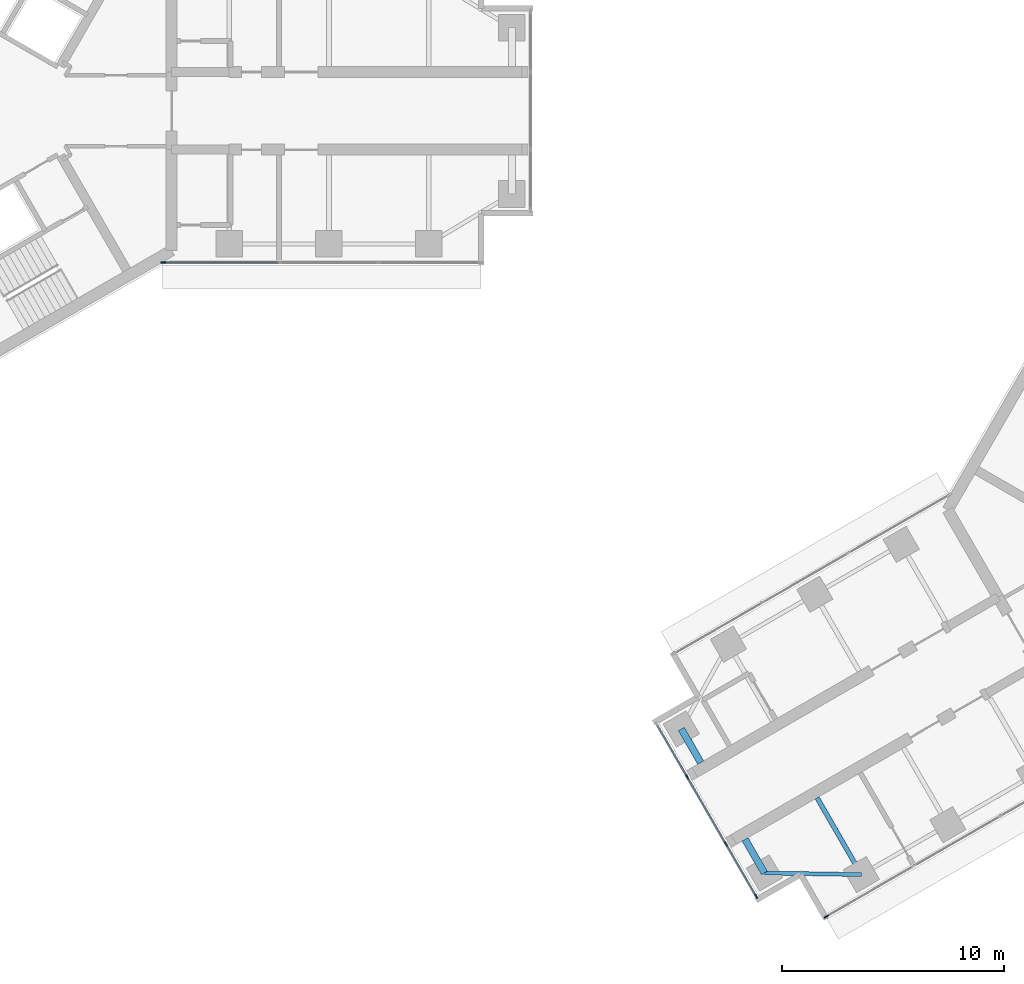
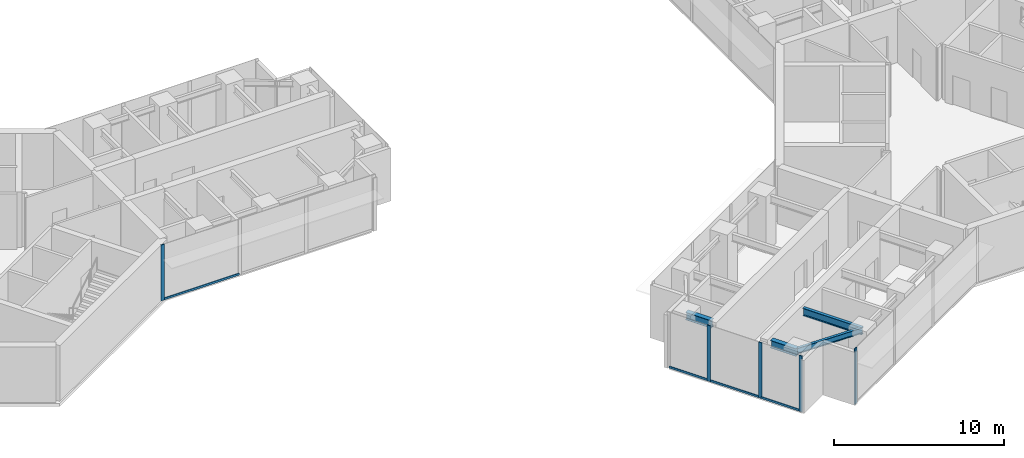
# One storey, part 2 of 17: 9 members, 4 beams, 3 elements without a shape of their own.
"""IFC4 building model written with IfcOpenShell, lengths in metres."""

from ifc_helpers import new_model, si_unit, direction, frame, origin, origin_2d, place, context, subcontext, project, spatial, rectangle, i_section, extrude, material, material_profile, profile_set, type_object, element, aggregate, save


model = new_model("IFC4")

# Units and contexts
model_context = context("Model", 3, precision=1e-05, world=origin(), true_north=direction((0.0, 1.0)))
body_context = subcontext(model_context, "Body", "Model", "MODEL_VIEW")
ifc_project = project(units=[si_unit("LENGTHUNIT", "METRE"), si_unit("AREAUNIT", "SQUARE_METRE"), si_unit("VOLUMEUNIT", "CUBIC_METRE"), si_unit("PLANEANGLEUNIT", "RADIAN"), si_unit("MASSUNIT", "GRAM", prefix="KILO")], contexts=[model_context])

# Site, building, storey
site_placement = place(None, origin())
site = spatial("IfcSite", under=ifc_project, at=site_placement, CompositionType="ELEMENT")
building_placement = place(site_placement, origin())
building = spatial("IfcBuilding", under=site, at=building_placement, Name="Upepo Twin Towers", CompositionType="ELEMENT")
storey_placement = place(building_placement, frame((0.0, 0.0, 174.5)))
storey = spatial("IfcBuildingStorey", under=building, at=storey_placement, Name="L42", CompositionType="ELEMENT", Elevation=174.5)

# Beams
ifc_material_1 = material(Name="Steel S355", Category="steel")
ifc_material_profile_1 = material_profile(ifc_material_1, i_section(OverallWidth=0.177978515625, OverallDepth=0.406494140625, WebThickness=0.0078125, FlangeThickness=0.0126953125, FilletRadius=0.01025390625, at=origin_2d()), Name="UB 406x178x60")
ifc_profile_set_1 = profile_set([ifc_material_profile_1], Name="Steel S355")
beam_type_1 = type_object("IfcBeamType", Name="Beam UB 406x178x60", PredefinedType="BEAM", material=ifc_profile_set_1)
beam_1_placement = place(storey_placement, frame((42.014404296875, -34.446044921875, 3.5966796875), z_axis=(-0.999858804832, 0.016803880528, 0.0), x_axis=(-0.016803880528, -0.999858804832, 0.0)))
element("IfcBeam", 1, at=beam_1_placement, inside=storey, type_object=beam_type_1, Name="T2 nose edge beam BL", PredefinedType="BEAM", context=body_context, shape_type="SweptSolid", body=[
    extrude(i_section(OverallWidth=0.177978515625, OverallDepth=0.406494140625, WebThickness=0.0078125, FlangeThickness=0.0126953125, FilletRadius=0.01025390625, at=origin_2d()), origin(), (0.0, 0.0, 1.0), 4.373291015625),
])
ifc_material_2 = material(Name="Steel S355", Category="steel")
ifc_material_profile_2 = material_profile(ifc_material_2, i_section(OverallWidth=0.209228515625, OverallDepth=0.533203125, WebThickness=0.010009765625, FlangeThickness=0.015625, FilletRadius=0.0126953125, at=origin_2d()), Name="UB 533x210x92")
ifc_profile_set_2 = profile_set([ifc_material_profile_2], Name="Steel S355")
beam_type_2 = type_object("IfcBeamType", Name="Beam UB 533x210x92", PredefinedType="BEAM", material=ifc_profile_set_2)
beam_2_placement = place(storey_placement, frame((42.014404296875, -34.446044921875, 3.533447265625), z_axis=(-0.49999894854, 0.866026010844, 0.0), x_axis=(-0.866026010844, -0.49999894854, 0.0)))
element("IfcBeam", 2, at=beam_2_placement, inside=storey, type_object=beam_type_2, Name="T2 girder BL at 22.5", PredefinedType="BEAM", context=body_context, shape_type="SweptSolid", body=[
    extrude(i_section(OverallWidth=0.209228515625, OverallDepth=0.533203125, WebThickness=0.010009765625, FlangeThickness=0.015625, FilletRadius=0.0126953125, at=origin_2d()), origin(), (0.0, 0.0, 1.0), 4.0),
])
ifc_material_3 = material(Name="Steel S355", Category="steel")
ifc_material_profile_3 = material_profile(ifc_material_3, i_section(OverallWidth=0.31201171875, OverallDepth=0.54345703125, WebThickness=0.0126953125, FlangeThickness=0.020263671875, FilletRadius=0.0126953125, at=origin_2d()), Name="UB 533x312x150")
ifc_profile_set_3 = profile_set([ifc_material_profile_3], Name="Steel S355")
beam_type_3 = type_object("IfcBeamType", Name="Beam UB 533x312x150", PredefinedType="BEAM", material=ifc_profile_set_3)
for number, where, z_axis, x_axis, name in (
    (3, (37.641845703125, -34.37255859375, 3.5283203125), (-0.499980071345, 0.866036909293, 0.0), (-0.866036909293, -0.499980071345, 0.0), "T2 nose beam BL"),
    (4, (33.891845703125, -27.87744140625, 3.5283203125), (0.499980071345, -0.866036909293, 0.0), (0.866036909293, 0.499980071345, 0.0), "T2 nose beam BR"),
):
    element("IfcBeam", number, at=place(storey_placement, frame(where, z_axis=z_axis, x_axis=x_axis)), inside=storey, type_object=beam_type_3, Name=name, PredefinedType="BEAM", context=body_context, shape_type="SweptSolid", body=[
        extrude(i_section(OverallWidth=0.31201171875, OverallDepth=0.54345703125, WebThickness=0.0126953125, FlangeThickness=0.020263671875, FilletRadius=0.0126953125, at=origin_2d()), origin(), (0.0, 0.0, 1.0), 1.75),
    ])

# Curtain wall, member
ifc_material_4 = material(Name="Aluminium and fritted glass", Category="aluminium")
curtain_wall_type = type_object("IfcCurtainWallType", Name="Tower curtain wall TW3, fritted glass", PredefinedType="NOTDEFINED", material=ifc_material_4)
curtain_wall_1_placement = place(storey_placement, origin())
curtain_wall_1 = element("IfcCurtainWall", 5, at=curtain_wall_1_placement, inside=storey, type_object=curtain_wall_type, Name="T1 L42 wing A flank R curtain wall", PredefinedType="NOTDEFINED")
ifc_material_5 = material(Name="Aluminium mullion", Category="aluminium")
ifc_material_profile_4 = material_profile(ifc_material_5, rectangle(XDim=0.06494140625, YDim=0.22509765625, at=origin_2d()), Name="MULLION 65x225")
ifc_profile_set_4 = profile_set([ifc_material_profile_4], Name="Aluminium mullion")
member_type_1 = type_object("IfcMemberType", Name="Mullion 65x225 TW3", PredefinedType="MULLION", material=ifc_profile_set_4)
member_1_placement = place(storey_placement, frame((10.51953125, -6.85009765625, 0.0), z_axis=(0.0, 0.0, 1.0), x_axis=(0.0, -1.0, 0.0)))
member_1 = element("IfcMember", 6, at=member_1_placement, type_object=member_type_1, Name="T1 L42 wing A flank R curtain wall mullion 4", PredefinedType="MULLION", context=body_context, shape_type="SweptSolid", body=[
    extrude(rectangle(XDim=0.06494140625, YDim=0.22509765625, at=origin_2d()), origin(), (0.0, 0.0, 1.0), 4.0),
])

curtain_wall_2_placement = place(storey_placement, origin())
curtain_wall_2 = element("IfcCurtainWall", 7, at=curtain_wall_2_placement, inside=storey, type_object=curtain_wall_type, Name="T2 L42 wing B flank L curtain wall", PredefinedType="NOTDEFINED")
member_2_placement = place(storey_placement, frame((40.432373046875, -36.341064453125, 0.0), z_axis=(0.0, 0.0, 1.0), x_axis=(0.500000026527, -0.866025388469, 0.0)))
member_2 = element("IfcMember", 8, at=member_2_placement, type_object=member_type_1, Name="T2 L42 wing B flank L curtain wall mullion 4", PredefinedType="MULLION", context=body_context, shape_type="SweptSolid", body=[
    extrude(rectangle(XDim=0.06494140625, YDim=0.22509765625, at=origin_2d()), origin(), (0.0, 0.0, 1.0), 4.0),
])
aggregate(curtain_wall_2, [member_2])

# Curtain wall, members
curtain_wall_3_placement = place(storey_placement, origin())
curtain_wall_3 = element("IfcCurtainWall", 9, at=curtain_wall_3_placement, inside=storey, type_object=curtain_wall_type, Name="T2 L42 wing B nose curtain wall", PredefinedType="NOTDEFINED")
member_3_placement = place(storey_placement, frame((34.15576171875, -30.034423828125, 0.0), z_axis=(0.0, 0.0, 1.0), x_axis=(0.866025386174, 0.500000030502, 0.0)))
member_3 = element("IfcMember", 10, at=member_3_placement, type_object=member_type_1, Name="T2 L42 wing B nose curtain wall mullion 2", PredefinedType="MULLION", context=body_context, shape_type="SweptSolid", body=[
    extrude(rectangle(XDim=0.06494140625, YDim=0.22509765625, at=origin_2d()), origin(), (0.0, 0.0, 1.0), 4.0),
])
member_4_placement = place(storey_placement, frame((35.90576171875, -33.0654296875, 0.0), z_axis=(0.0, 0.0, 1.0), x_axis=(0.866025386174, 0.500000030502, 0.0)))
member_4 = element("IfcMember", 11, at=member_4_placement, type_object=member_type_1, Name="T2 L42 wing B nose curtain wall mullion 3", PredefinedType="MULLION", context=body_context, shape_type="SweptSolid", body=[
    extrude(rectangle(XDim=0.06494140625, YDim=0.22509765625, at=origin_2d()), origin(), (0.0, 0.0, 1.0), 4.0),
])
member_5_placement = place(storey_placement, frame((37.264404296875, -35.4189453125, 0.0), z_axis=(0.0, 0.0, 1.0), x_axis=(0.866025386174, 0.500000030502, 0.0)))
member_5 = element("IfcMember", 12, at=member_5_placement, type_object=member_type_1, Name="T2 L42 wing B nose curtain wall mullion 4", PredefinedType="MULLION", context=body_context, shape_type="SweptSolid", body=[
    extrude(rectangle(XDim=0.06494140625, YDim=0.22509765625, at=origin_2d()), origin(), (0.0, 0.0, 1.0), 4.0),
])

# Member
ifc_material_6 = material(Name="Aluminium transom", Category="aluminium")
ifc_material_profile_5 = material_profile(ifc_material_6, rectangle(XDim=0.06494140625, YDim=0.14990234375, at=origin_2d()), Name="TRANSOM 65x150")
ifc_profile_set_5 = profile_set([ifc_material_profile_5], Name="Aluminium transom")
member_type_2 = type_object("IfcMemberType", Name="Transom 65x150 TW3", PredefinedType="USERDEFINED", material=ifc_profile_set_5)
member_6_placement = place(storey_placement, frame((15.717529296875, -6.85009765625, 0.074951171875), z_axis=(-1.0, 0.0, 0.0), x_axis=(0.0, -1.0, 0.0)))
member_6 = element("IfcMember", 13, at=member_6_placement, type_object=member_type_2, Name="T1 L42 wing A flank R curtain wall transom 3", ObjectType="TRANSOM", PredefinedType="USERDEFINED", context=body_context, shape_type="SweptSolid", body=[
    extrude(rectangle(XDim=0.06494140625, YDim=0.14990234375, at=origin_2d()), origin(), (0.0, 0.0, 1.0), 5.16552734375),
])

aggregate(curtain_wall_1, [member_1, member_6])

member_7_placement = place(storey_placement, frame((32.813232421875, -27.709228515625, 0.074951171875), z_axis=(0.499980071345, -0.866036909293, 0.0), x_axis=(0.866036909293, 0.499980071345, 0.0)))
member_7 = element("IfcMember", 14, at=member_7_placement, type_object=member_type_2, Name="T2 L42 wing B nose curtain wall transom 1", ObjectType="TRANSOM", PredefinedType="USERDEFINED", context=body_context, shape_type="SweptSolid", body=[
    extrude(rectangle(XDim=0.06494140625, YDim=0.14990234375, at=origin_2d()), origin(), (0.0, 0.0, 1.0), 2.65234375),
])

member_8_placement = place(storey_placement, frame((34.171875, -30.0625, 0.074951171875), z_axis=(0.499999305434, -0.866025804792, 0.0), x_axis=(0.866025804792, 0.499999305434, 0.0)))
member_8 = element("IfcMember", 15, at=member_8_placement, type_object=member_type_2, Name="T2 L42 wing B nose curtain wall transom 2", ObjectType="TRANSOM", PredefinedType="USERDEFINED", context=body_context, shape_type="SweptSolid", body=[
    extrude(rectangle(XDim=0.06494140625, YDim=0.14990234375, at=origin_2d()), origin(), (0.0, 0.0, 1.0), 3.43505859375),
])

member_9_placement = place(storey_placement, frame((35.921875, -33.09375, 0.074951171875), z_axis=(0.500049101008, -0.865997053448, 0.0), x_axis=(0.865997053448, 0.500049101008, 0.0)))
member_9 = element("IfcMember", 16, at=member_9_placement, type_object=member_type_2, Name="T2 L42 wing B nose curtain wall transom 3", ObjectType="TRANSOM", PredefinedType="USERDEFINED", context=body_context, shape_type="SweptSolid", body=[
    extrude(rectangle(XDim=0.06494140625, YDim=0.14990234375, at=origin_2d()), origin(), (0.0, 0.0, 1.0), 2.652587890625),
])

aggregate(curtain_wall_3, [member_3, member_4, member_5, member_7, member_8, member_9])

save(model, "model.ifc")
